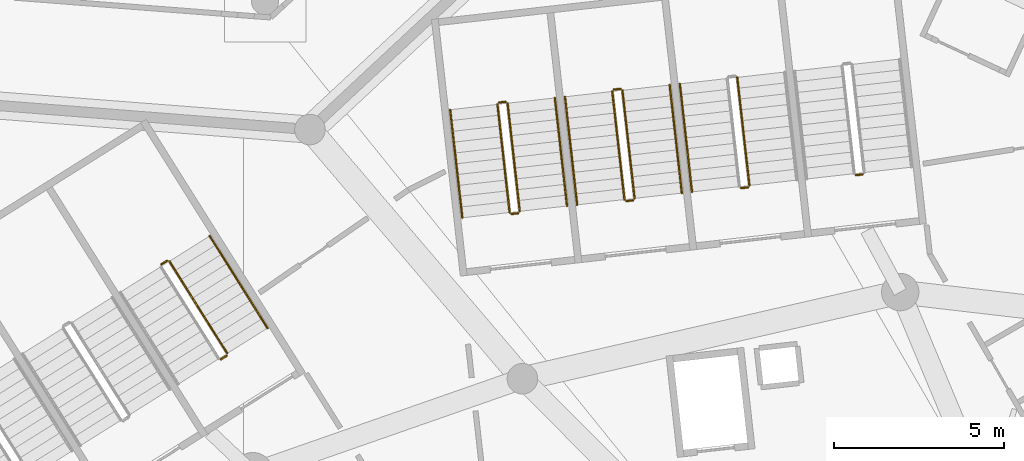
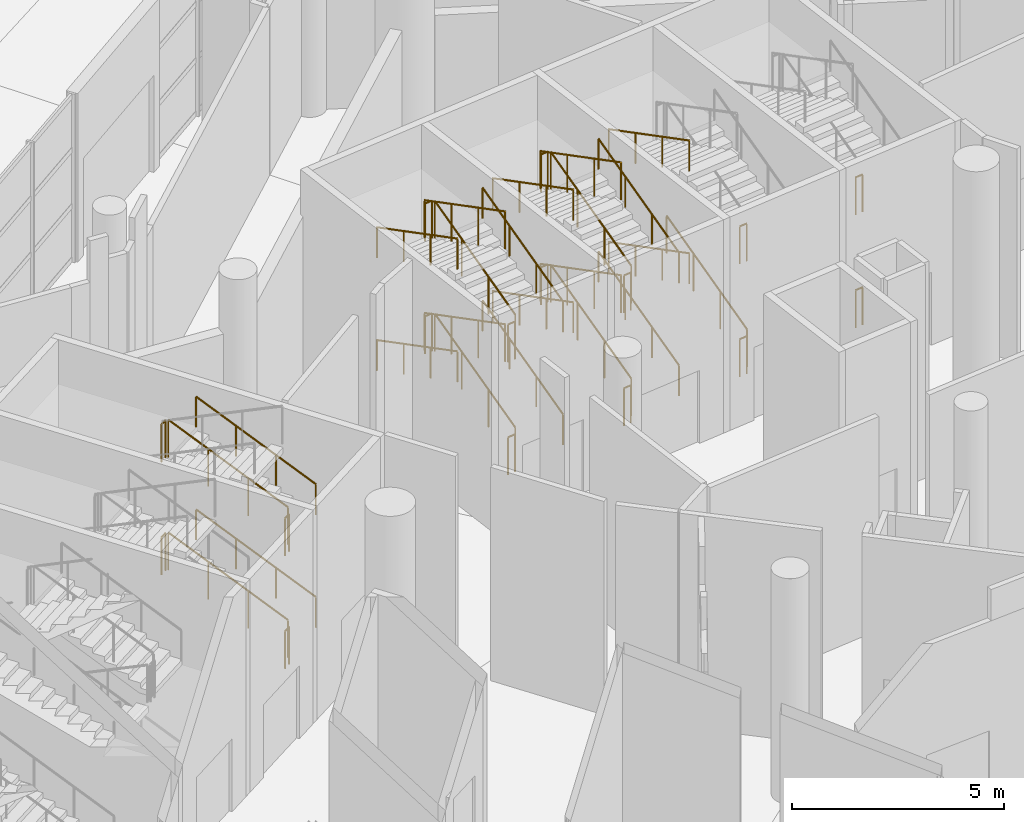
# One storey, part 235 of 255: 39 railings.
"""IFC4 building model written with IfcOpenShell, lengths in metres."""

from ifc_helpers import new_model, si_unit, direction, frame, origin, origin_2d, place, context, subcontext, project, spatial, circle, extrude, material, type_object, element, save


model = new_model("IFC4")

# Units and contexts
model_context = context("Model", 3, precision=1e-05, world=origin(), true_north=direction((0.0, 1.0)))
body_context = subcontext(model_context, "Body", "Model", "MODEL_VIEW")
ifc_project = project(units=[si_unit("LENGTHUNIT", "METRE"), si_unit("AREAUNIT", "SQUARE_METRE"), si_unit("VOLUMEUNIT", "CUBIC_METRE"), si_unit("PLANEANGLEUNIT", "RADIAN"), si_unit("MASSUNIT", "GRAM", prefix="KILO")], contexts=[model_context])

# Site, building, storey
site_placement = place(None, origin())
site = spatial("IfcSite", under=ifc_project, at=site_placement, CompositionType="ELEMENT")
building_placement = place(site_placement, origin())
building = spatial("IfcBuilding", under=site, at=building_placement, Name="Meseta Stadium", CompositionType="ELEMENT")
storey_placement = place(building_placement, origin())
storey = spatial("IfcBuildingStorey", under=building, at=storey_placement, Name="L00", CompositionType="ELEMENT", Elevation=0.0)

# Railings
ifc_material_1 = material(Name="Steel S355", Category="steel")
railing_type_1 = type_object("IfcRailingType", Name="Stair guard 1100", PredefinedType="GUARDRAIL", material=ifc_material_1)
for number, where, name in (
    (1, (-45.787109375, 94.553955078125, 3.25), "ST45 L00 guard 4"),
    (2, (-45.787109375, 94.553955078125, 0.0), "ST45 L00 guard 8"),
):
    element("IfcRailing", number, at=place(storey_placement, frame(where)), inside=storey, type_object=railing_type_1, Name=name, PredefinedType="GUARDRAIL", context=body_context, shape_type="SweptSolid", body=[
        extrude(circle(Radius=0.02392578125, at=origin_2d()), frame((0.0, 0.0, 1.076171875), z_axis=(-0.993673547442, -0.112307083986, 0.0), x_axis=(0.112307083986, -0.993673547442, 0.0)), (0.0, 0.0, 1.0), 0.199951171875),
        extrude(circle(Radius=0.02099609375, at=origin_2d()), origin(), (0.0, 0.0, 1.0), 1.052001953125),
        extrude(circle(Radius=0.02099609375, at=origin_2d()), frame((-0.19873046875, -0.0224609375, 0.0)), (0.0, 0.0, 1.0), 1.052001953125),
    ])
railing_1_placement = place(storey_placement, frame((-49.12158203125, 94.228515625, 0.147705078125)))
element("IfcRailing", 3, at=railing_1_placement, inside=storey, type_object=railing_type_1, Name="ST46 L00 guard 1", PredefinedType="GUARDRAIL", context=body_context, shape_type="SweptSolid", body=[
    extrude(circle(Radius=0.02392578125, at=origin_2d()), frame((0.0, 0.0, 1.076171875), z_axis=(-0.10168481418, 0.902210289302, 0.419138154362), x_axis=(-0.993708517288, -0.111997244021, 0.0)), (0.0, 0.0, 1.0), 3.524658203125),
    extrude(circle(Radius=0.02099609375, at=origin_2d()), origin(), (0.0, 0.0, 1.0), 1.052001953125),
    extrude(circle(Radius=0.02099609375, at=origin_2d()), frame((-0.119384765625, 1.06005859375, 0.492431640625)), (0.0, 0.0, 1.0), 1.052001953125),
    extrude(circle(Radius=0.02099609375, at=origin_2d()), frame((-0.239013671875, 2.119873046875, 0.98486328125)), (0.0, 0.0, 1.0), 1.052001953125),
    extrude(circle(Radius=0.02099609375, at=origin_2d()), frame((-0.3583984375, 3.179931640625, 1.477294921875)), (0.0, 0.0, 1.0), 1.052001953125),
])
for number, where, name in (
    (4, (-49.165771484375, 94.17333984375, 3.25), "ST46 L00 guard 4"),
    (5, (-49.165771484375, 94.17333984375, 0.0), "ST46 L00 guard 8"),
):
    element("IfcRailing", number, at=place(storey_placement, frame(where)), inside=storey, type_object=railing_type_1, Name=name, PredefinedType="GUARDRAIL", context=body_context, shape_type="SweptSolid", body=[
        extrude(circle(Radius=0.02392578125, at=origin_2d()), frame((0.0, 0.0, 1.076171875), z_axis=(-0.993673547442, -0.112307083986, 0.0), x_axis=(0.112307083986, -0.993673547442, 0.0)), (0.0, 0.0, 1.0), 0.199951171875),
        extrude(circle(Radius=0.02099609375, at=origin_2d()), origin(), (0.0, 0.0, 1.0), 1.052001953125),
        extrude(circle(Radius=0.02099609375, at=origin_2d()), frame((-0.19873046875, -0.0224609375, 0.0)), (0.0, 0.0, 1.0), 1.052001953125),
    ])
railing_2_placement = place(storey_placement, frame((-52.500244140625, 93.847900390625, 0.147705078125)))
element("IfcRailing", 6, at=railing_2_placement, inside=storey, type_object=railing_type_1, Name="ST47 L00 guard 1", PredefinedType="GUARDRAIL", context=body_context, shape_type="SweptSolid", body=[
    extrude(circle(Radius=0.02392578125, at=origin_2d()), frame((0.0, 0.0, 1.076171875), z_axis=(-0.10168481418, 0.902210289302, 0.419138154362), x_axis=(-0.993708517288, -0.111997244021, 0.0)), (0.0, 0.0, 1.0), 3.524658203125),
    extrude(circle(Radius=0.02099609375, at=origin_2d()), origin(), (0.0, 0.0, 1.0), 1.052001953125),
    extrude(circle(Radius=0.02099609375, at=origin_2d()), frame((-0.119384765625, 1.06005859375, 0.492431640625)), (0.0, 0.0, 1.0), 1.052001953125),
    extrude(circle(Radius=0.02099609375, at=origin_2d()), frame((-0.239013671875, 2.119873046875, 0.98486328125)), (0.0, 0.0, 1.0), 1.052001953125),
    extrude(circle(Radius=0.02099609375, at=origin_2d()), frame((-0.3583984375, 3.179931640625, 1.477294921875)), (0.0, 0.0, 1.0), 1.052001953125),
])
railing_3_placement = place(storey_placement, frame((-52.913818359375, 97.07177734375, 1.625)))
element("IfcRailing", 7, at=railing_3_placement, inside=storey, type_object=railing_type_1, Name="ST47 L00 guard 2", PredefinedType="GUARDRAIL", context=body_context, shape_type="SweptSolid", body=[
    extrude(circle(Radius=0.02392578125, at=origin_2d()), frame((0.0, 0.0, 1.076171875), z_axis=(-0.993809063983, -0.111101504696, 0.0), x_axis=(0.111101504696, -0.993809063983, 0.0)), (0.0, 0.0, 1.0), 0.199951171875),
    extrude(circle(Radius=0.02099609375, at=origin_2d()), origin(), (0.0, 0.0, 1.0), 1.052001953125),
    extrude(circle(Radius=0.02099609375, at=origin_2d()), frame((-0.19873046875, -0.022216796875, 0.0)), (0.0, 0.0, 1.0), 1.052001953125),
])
railing_4_placement = place(storey_placement, frame((-53.15673828125, 96.994140625, 1.772705078125)))
element("IfcRailing", 8, at=railing_4_placement, inside=storey, type_object=railing_type_1, Name="ST47 L00 guard 3", PredefinedType="GUARDRAIL", context=body_context, shape_type="SweptSolid", body=[
    extrude(circle(Radius=0.02392578125, at=origin_2d()), frame((0.0, 0.0, 1.076171875), z_axis=(0.10168481418, -0.902210289302, 0.419138154362), x_axis=(0.993708517288, 0.111997244021, 0.0)), (0.0, 0.0, 1.0), 3.524658203125),
    extrude(circle(Radius=0.02099609375, at=origin_2d()), origin(), (0.0, 0.0, 1.0), 1.052001953125),
    extrude(circle(Radius=0.02099609375, at=origin_2d()), frame((0.119384765625, -1.06005859375, 0.492431640625)), (0.0, 0.0, 1.0), 1.052001953125),
    extrude(circle(Radius=0.02099609375, at=origin_2d()), frame((0.239013671875, -2.119873046875, 0.98486328125)), (0.0, 0.0, 1.0), 1.052001953125),
    extrude(circle(Radius=0.02099609375, at=origin_2d()), frame((0.3583984375, -3.179931640625, 1.477294921875)), (0.0, 0.0, 1.0), 1.052001953125),
])
railing_5_placement = place(storey_placement, frame((-52.54443359375, 93.792724609375, 3.25)))
element("IfcRailing", 9, at=railing_5_placement, inside=storey, type_object=railing_type_1, Name="ST47 L00 guard 4", PredefinedType="GUARDRAIL", context=body_context, shape_type="SweptSolid", body=[
    extrude(circle(Radius=0.02392578125, at=origin_2d()), frame((0.0, 0.0, 1.076171875), z_axis=(-0.993673547442, -0.112307083986, 0.0), x_axis=(0.112307083986, -0.993673547442, 0.0)), (0.0, 0.0, 1.0), 0.199951171875),
    extrude(circle(Radius=0.02099609375, at=origin_2d()), origin(), (0.0, 0.0, 1.0), 1.052001953125),
    extrude(circle(Radius=0.02099609375, at=origin_2d()), frame((-0.19873046875, -0.0224609375, 0.0)), (0.0, 0.0, 1.0), 1.052001953125),
])
railing_6_placement = place(storey_placement, frame((-52.500244140625, 93.847900390625, 3.397705078125)))
element("IfcRailing", 10, at=railing_6_placement, inside=storey, type_object=railing_type_1, Name="ST47 L00 guard 5", PredefinedType="GUARDRAIL", context=body_context, shape_type="SweptSolid", body=[
    extrude(circle(Radius=0.02392578125, at=origin_2d()), frame((0.0, 0.0, 1.076171875), z_axis=(-0.10168481418, 0.902210289302, 0.419138154362), x_axis=(-0.993708517288, -0.111997244021, 0.0)), (0.0, 0.0, 1.0), 3.524658203125),
    extrude(circle(Radius=0.02099609375, at=origin_2d()), origin(), (0.0, 0.0, 1.0), 1.052001953125),
    extrude(circle(Radius=0.02099609375, at=origin_2d()), frame((-0.119384765625, 1.06005859375, 0.492431640625)), (0.0, 0.0, 1.0), 1.052001953125),
    extrude(circle(Radius=0.02099609375, at=origin_2d()), frame((-0.239013671875, 2.119873046875, 0.98486328125)), (0.0, 0.0, 1.0), 1.052001953125),
    extrude(circle(Radius=0.02099609375, at=origin_2d()), frame((-0.3583984375, 3.179931640625, 1.477294921875)), (0.0, 0.0, 1.0), 1.052001953125),
])
railing_7_placement = place(storey_placement, frame((-52.913818359375, 97.07177734375, 4.875)))
element("IfcRailing", 11, at=railing_7_placement, inside=storey, type_object=railing_type_1, Name="ST47 L00 guard 6", PredefinedType="GUARDRAIL", context=body_context, shape_type="SweptSolid", body=[
    extrude(circle(Radius=0.02392578125, at=origin_2d()), frame((0.0, 0.0, 1.076171875), z_axis=(-0.993809063983, -0.111101504696, 0.0), x_axis=(0.111101504696, -0.993809063983, 0.0)), (0.0, 0.0, 1.0), 0.199951171875),
    extrude(circle(Radius=0.02099609375, at=origin_2d()), origin(), (0.0, 0.0, 1.0), 1.052001953125),
    extrude(circle(Radius=0.02099609375, at=origin_2d()), frame((-0.19873046875, -0.022216796875, 0.0)), (0.0, 0.0, 1.0), 1.052001953125),
])
railing_8_placement = place(storey_placement, frame((-53.15673828125, 96.994140625, 5.022705078125)))
element("IfcRailing", 12, at=railing_8_placement, inside=storey, type_object=railing_type_1, Name="ST47 L00 guard 7", PredefinedType="GUARDRAIL", context=body_context, shape_type="SweptSolid", body=[
    extrude(circle(Radius=0.02392578125, at=origin_2d()), frame((0.0, 0.0, 1.076171875), z_axis=(0.10168481418, -0.902210289302, 0.419138154362), x_axis=(0.993708517288, 0.111997244021, 0.0)), (0.0, 0.0, 1.0), 3.524658203125),
    extrude(circle(Radius=0.02099609375, at=origin_2d()), origin(), (0.0, 0.0, 1.0), 1.052001953125),
    extrude(circle(Radius=0.02099609375, at=origin_2d()), frame((0.119384765625, -1.06005859375, 0.492431640625)), (0.0, 0.0, 1.0), 1.052001953125),
    extrude(circle(Radius=0.02099609375, at=origin_2d()), frame((0.239013671875, -2.119873046875, 0.98486328125)), (0.0, 0.0, 1.0), 1.052001953125),
    extrude(circle(Radius=0.02099609375, at=origin_2d()), frame((0.3583984375, -3.179931640625, 1.477294921875)), (0.0, 0.0, 1.0), 1.052001953125),
])
railing_9_placement = place(storey_placement, frame((-52.54443359375, 93.792724609375, 0.0)))
element("IfcRailing", 13, at=railing_9_placement, inside=storey, type_object=railing_type_1, Name="ST47 L00 guard 8", PredefinedType="GUARDRAIL", context=body_context, shape_type="SweptSolid", body=[
    extrude(circle(Radius=0.02392578125, at=origin_2d()), frame((0.0, 0.0, 1.076171875), z_axis=(-0.993673547442, -0.112307083986, 0.0), x_axis=(0.112307083986, -0.993673547442, 0.0)), (0.0, 0.0, 1.0), 0.199951171875),
    extrude(circle(Radius=0.02099609375, at=origin_2d()), origin(), (0.0, 0.0, 1.0), 1.052001953125),
    extrude(circle(Radius=0.02099609375, at=origin_2d()), frame((-0.19873046875, -0.0224609375, 0.0)), (0.0, 0.0, 1.0), 1.052001953125),
])
railing_10_placement = place(storey_placement, frame((-55.87890625, 93.46728515625, 0.147705078125)))
element("IfcRailing", 14, at=railing_10_placement, inside=storey, type_object=railing_type_1, Name="ST48 L00 guard 1", PredefinedType="GUARDRAIL", context=body_context, shape_type="SweptSolid", body=[
    extrude(circle(Radius=0.02392578125, at=origin_2d()), frame((0.0, 0.0, 1.076171875), z_axis=(-0.10168481418, 0.902210289302, 0.419138154362), x_axis=(-0.993708517288, -0.111997244021, 0.0)), (0.0, 0.0, 1.0), 3.524658203125),
    extrude(circle(Radius=0.02099609375, at=origin_2d()), origin(), (0.0, 0.0, 1.0), 1.052001953125),
    extrude(circle(Radius=0.02099609375, at=origin_2d()), frame((-0.119384765625, 1.06005859375, 0.492431640625)), (0.0, 0.0, 1.0), 1.052001953125),
    extrude(circle(Radius=0.02099609375, at=origin_2d()), frame((-0.239013671875, 2.119873046875, 0.98486328125)), (0.0, 0.0, 1.0), 1.052001953125),
    extrude(circle(Radius=0.02099609375, at=origin_2d()), frame((-0.3583984375, 3.179931640625, 1.477294921875)), (0.0, 0.0, 1.0), 1.052001953125),
])
railing_11_placement = place(storey_placement, frame((-56.29248046875, 96.691162109375, 1.625)))
element("IfcRailing", 15, at=railing_11_placement, inside=storey, type_object=railing_type_1, Name="ST48 L00 guard 2", PredefinedType="GUARDRAIL", context=body_context, shape_type="SweptSolid", body=[
    extrude(circle(Radius=0.02392578125, at=origin_2d()), frame((0.0, 0.0, 1.076171875), z_axis=(-0.993673547442, -0.112307083986, 0.0), x_axis=(0.112307083986, -0.993673547442, 0.0)), (0.0, 0.0, 1.0), 0.199951171875),
    extrude(circle(Radius=0.02099609375, at=origin_2d()), origin(), (0.0, 0.0, 1.0), 1.052001953125),
    extrude(circle(Radius=0.02099609375, at=origin_2d()), frame((-0.19873046875, -0.0224609375, 0.0)), (0.0, 0.0, 1.0), 1.052001953125),
])
railing_12_placement = place(storey_placement, frame((-56.535400390625, 96.613525390625, 1.772705078125)))
element("IfcRailing", 16, at=railing_12_placement, inside=storey, type_object=railing_type_1, Name="ST48 L00 guard 3", PredefinedType="GUARDRAIL", context=body_context, shape_type="SweptSolid", body=[
    extrude(circle(Radius=0.02392578125, at=origin_2d()), frame((0.0, 0.0, 1.076171875), z_axis=(0.10168481418, -0.902210289302, 0.419138154362), x_axis=(0.993708517288, 0.111997244021, 0.0)), (0.0, 0.0, 1.0), 3.524658203125),
    extrude(circle(Radius=0.02099609375, at=origin_2d()), origin(), (0.0, 0.0, 1.0), 1.052001953125),
    extrude(circle(Radius=0.02099609375, at=origin_2d()), frame((0.119384765625, -1.06005859375, 0.492431640625)), (0.0, 0.0, 1.0), 1.052001953125),
    extrude(circle(Radius=0.02099609375, at=origin_2d()), frame((0.239013671875, -2.119873046875, 0.98486328125)), (0.0, 0.0, 1.0), 1.052001953125),
    extrude(circle(Radius=0.02099609375, at=origin_2d()), frame((0.3583984375, -3.179931640625, 1.477294921875)), (0.0, 0.0, 1.0), 1.052001953125),
])
railing_13_placement = place(storey_placement, frame((-55.923095703125, 93.411865234375, 3.25)))
element("IfcRailing", 17, at=railing_13_placement, inside=storey, type_object=railing_type_1, Name="ST48 L00 guard 4", PredefinedType="GUARDRAIL", context=body_context, shape_type="SweptSolid", body=[
    extrude(circle(Radius=0.02392578125, at=origin_2d()), frame((0.0, 0.0, 1.076171875), z_axis=(-0.993809063983, -0.111101504696, 0.0), x_axis=(0.111101504696, -0.993809063983, 0.0)), (0.0, 0.0, 1.0), 0.199951171875),
    extrude(circle(Radius=0.02099609375, at=origin_2d()), origin(), (0.0, 0.0, 1.0), 1.052001953125),
    extrude(circle(Radius=0.02099609375, at=origin_2d()), frame((-0.19873046875, -0.022216796875, 0.0)), (0.0, 0.0, 1.0), 1.052001953125),
])
railing_14_placement = place(storey_placement, frame((-55.87890625, 93.46728515625, 3.397705078125)))
element("IfcRailing", 18, at=railing_14_placement, inside=storey, type_object=railing_type_1, Name="ST48 L00 guard 5", PredefinedType="GUARDRAIL", context=body_context, shape_type="SweptSolid", body=[
    extrude(circle(Radius=0.02392578125, at=origin_2d()), frame((0.0, 0.0, 1.076171875), z_axis=(-0.10168481418, 0.902210289302, 0.419138154362), x_axis=(-0.993708517288, -0.111997244021, 0.0)), (0.0, 0.0, 1.0), 3.524658203125),
    extrude(circle(Radius=0.02099609375, at=origin_2d()), origin(), (0.0, 0.0, 1.0), 1.052001953125),
    extrude(circle(Radius=0.02099609375, at=origin_2d()), frame((-0.119384765625, 1.06005859375, 0.492431640625)), (0.0, 0.0, 1.0), 1.052001953125),
    extrude(circle(Radius=0.02099609375, at=origin_2d()), frame((-0.239013671875, 2.119873046875, 0.98486328125)), (0.0, 0.0, 1.0), 1.052001953125),
    extrude(circle(Radius=0.02099609375, at=origin_2d()), frame((-0.3583984375, 3.179931640625, 1.477294921875)), (0.0, 0.0, 1.0), 1.052001953125),
])
railing_15_placement = place(storey_placement, frame((-56.29248046875, 96.691162109375, 4.875)))
element("IfcRailing", 19, at=railing_15_placement, inside=storey, type_object=railing_type_1, Name="ST48 L00 guard 6", PredefinedType="GUARDRAIL", context=body_context, shape_type="SweptSolid", body=[
    extrude(circle(Radius=0.02392578125, at=origin_2d()), frame((0.0, 0.0, 1.076171875), z_axis=(-0.993673547442, -0.112307083986, 0.0), x_axis=(0.112307083986, -0.993673547442, 0.0)), (0.0, 0.0, 1.0), 0.199951171875),
    extrude(circle(Radius=0.02099609375, at=origin_2d()), origin(), (0.0, 0.0, 1.0), 1.052001953125),
    extrude(circle(Radius=0.02099609375, at=origin_2d()), frame((-0.19873046875, -0.0224609375, 0.0)), (0.0, 0.0, 1.0), 1.052001953125),
])
railing_16_placement = place(storey_placement, frame((-56.535400390625, 96.613525390625, 5.022705078125)))
element("IfcRailing", 20, at=railing_16_placement, inside=storey, type_object=railing_type_1, Name="ST48 L00 guard 7", PredefinedType="GUARDRAIL", context=body_context, shape_type="SweptSolid", body=[
    extrude(circle(Radius=0.02392578125, at=origin_2d()), frame((0.0, 0.0, 1.076171875), z_axis=(0.10168481418, -0.902210289302, 0.419138154362), x_axis=(0.993708517288, 0.111997244021, 0.0)), (0.0, 0.0, 1.0), 3.524658203125),
    extrude(circle(Radius=0.02099609375, at=origin_2d()), origin(), (0.0, 0.0, 1.0), 1.052001953125),
    extrude(circle(Radius=0.02099609375, at=origin_2d()), frame((0.119384765625, -1.06005859375, 0.492431640625)), (0.0, 0.0, 1.0), 1.052001953125),
    extrude(circle(Radius=0.02099609375, at=origin_2d()), frame((0.239013671875, -2.119873046875, 0.98486328125)), (0.0, 0.0, 1.0), 1.052001953125),
    extrude(circle(Radius=0.02099609375, at=origin_2d()), frame((0.3583984375, -3.179931640625, 1.477294921875)), (0.0, 0.0, 1.0), 1.052001953125),
])
railing_17_placement = place(storey_placement, frame((-55.923095703125, 93.411865234375, 0.0)))
element("IfcRailing", 21, at=railing_17_placement, inside=storey, type_object=railing_type_1, Name="ST48 L00 guard 8", PredefinedType="GUARDRAIL", context=body_context, shape_type="SweptSolid", body=[
    extrude(circle(Radius=0.02392578125, at=origin_2d()), frame((0.0, 0.0, 1.076171875), z_axis=(-0.993809063983, -0.111101504696, 0.0), x_axis=(0.111101504696, -0.993809063983, 0.0)), (0.0, 0.0, 1.0), 0.199951171875),
    extrude(circle(Radius=0.02099609375, at=origin_2d()), origin(), (0.0, 0.0, 1.0), 1.052001953125),
    extrude(circle(Radius=0.02099609375, at=origin_2d()), frame((-0.19873046875, -0.022216796875, 0.0)), (0.0, 0.0, 1.0), 1.052001953125),
])
railing_18_placement = place(storey_placement, frame((-64.4853515625, 89.286865234375, 0.147705078125)))
element("IfcRailing", 22, at=railing_18_placement, inside=storey, type_object=railing_type_1, Name="ST49 L00 guard 1", PredefinedType="GUARDRAIL", context=body_context, shape_type="SweptSolid", body=[
    extrude(circle(Radius=0.02392578125, at=origin_2d()), frame((0.0, 0.0, 1.076171875), z_axis=(-0.482997211726, 0.768791919252, 0.419133246544), x_axis=(-0.846757325705, -0.531979352387, 0.0)), (0.0, 0.0, 1.0), 3.524658203125),
    extrude(circle(Radius=0.02099609375, at=origin_2d()), origin(), (0.0, 0.0, 1.0), 1.052001953125),
    extrude(circle(Radius=0.02099609375, at=origin_2d()), frame((-0.5673828125, 0.9033203125, 0.492431640625)), (0.0, 0.0, 1.0), 1.052001953125),
    extrude(circle(Radius=0.02099609375, at=origin_2d()), frame((-1.135009765625, 1.806396484375, 0.98486328125)), (0.0, 0.0, 1.0), 1.052001953125),
    extrude(circle(Radius=0.02099609375, at=origin_2d()), frame((-1.702392578125, 2.709716796875, 1.477294921875)), (0.0, 0.0, 1.0), 1.052001953125),
])
railing_19_placement = place(storey_placement, frame((-66.2568359375, 92.01220703125, 1.625)))
element("IfcRailing", 23, at=railing_19_placement, inside=storey, type_object=railing_type_1, Name="ST49 L00 guard 2", PredefinedType="GUARDRAIL", context=body_context, shape_type="SweptSolid", body=[
    extrude(circle(Radius=0.02392578125, at=origin_2d()), frame((0.0, 0.0, 1.076171875), z_axis=(-0.846416356806, -0.532521690573, 0.0), x_axis=(0.532521690573, -0.846416356806, 0.0)), (0.0, 0.0, 1.0), 0.199951171875),
    extrude(circle(Radius=0.02099609375, at=origin_2d()), origin(), (0.0, 0.0, 1.0), 1.052001953125),
    extrude(circle(Radius=0.02099609375, at=origin_2d()), frame((-0.169189453125, -0.1064453125, 0.0)), (0.0, 0.0, 1.0), 1.052001953125),
])
railing_20_placement = place(storey_placement, frame((-64.5009765625, 89.218017578125, 3.25)))
element("IfcRailing", 24, at=railing_20_placement, inside=storey, type_object=railing_type_1, Name="ST49 L00 guard 4", PredefinedType="GUARDRAIL", context=body_context, shape_type="SweptSolid", body=[
    extrude(circle(Radius=0.02392578125, at=origin_2d()), frame((0.0, 0.0, 1.076171875), z_axis=(-0.846762178531, -0.531971628011, 0.0), x_axis=(0.531971628011, -0.846762178531, 0.0)), (0.0, 0.0, 1.0), 0.2001953125),
    extrude(circle(Radius=0.02099609375, at=origin_2d()), origin(), (0.0, 0.0, 1.0), 1.052001953125),
    extrude(circle(Radius=0.02099609375, at=origin_2d()), frame((-0.16943359375, -0.1064453125, 0.0)), (0.0, 0.0, 1.0), 1.052001953125),
])
railing_21_placement = place(storey_placement, frame((-64.4853515625, 89.286865234375, 3.397705078125)))
element("IfcRailing", 25, at=railing_21_placement, inside=storey, type_object=railing_type_1, Name="ST49 L00 guard 5", PredefinedType="GUARDRAIL", context=body_context, shape_type="SweptSolid", body=[
    extrude(circle(Radius=0.02392578125, at=origin_2d()), frame((0.0, 0.0, 1.076171875), z_axis=(-0.482997211726, 0.768791919252, 0.419133246544), x_axis=(-0.846757325705, -0.531979352387, 0.0)), (0.0, 0.0, 1.0), 3.524658203125),
    extrude(circle(Radius=0.02099609375, at=origin_2d()), origin(), (0.0, 0.0, 1.0), 1.052001953125),
    extrude(circle(Radius=0.02099609375, at=origin_2d()), frame((-0.5673828125, 0.9033203125, 0.492431640625)), (0.0, 0.0, 1.0), 1.052001953125),
    extrude(circle(Radius=0.02099609375, at=origin_2d()), frame((-1.135009765625, 1.806396484375, 0.98486328125)), (0.0, 0.0, 1.0), 1.052001953125),
    extrude(circle(Radius=0.02099609375, at=origin_2d()), frame((-1.702392578125, 2.709716796875, 1.477294921875)), (0.0, 0.0, 1.0), 1.052001953125),
])
railing_22_placement = place(storey_placement, frame((-66.2568359375, 92.01220703125, 4.875)))
element("IfcRailing", 26, at=railing_22_placement, inside=storey, type_object=railing_type_1, Name="ST49 L00 guard 6", PredefinedType="GUARDRAIL", context=body_context, shape_type="SweptSolid", body=[
    extrude(circle(Radius=0.02392578125, at=origin_2d()), frame((0.0, 0.0, 1.076171875), z_axis=(-0.846416356806, -0.532521690573, 0.0), x_axis=(0.532521690573, -0.846416356806, 0.0)), (0.0, 0.0, 1.0), 0.199951171875),
    extrude(circle(Radius=0.02099609375, at=origin_2d()), origin(), (0.0, 0.0, 1.0), 1.052001953125),
    extrude(circle(Radius=0.02099609375, at=origin_2d()), frame((-0.169189453125, -0.1064453125, 0.0)), (0.0, 0.0, 1.0), 1.052001953125),
])
railing_23_placement = place(storey_placement, frame((-64.5009765625, 89.218017578125, 0.0)))
element("IfcRailing", 27, at=railing_23_placement, inside=storey, type_object=railing_type_1, Name="ST49 L00 guard 8", PredefinedType="GUARDRAIL", context=body_context, shape_type="SweptSolid", body=[
    extrude(circle(Radius=0.02392578125, at=origin_2d()), frame((0.0, 0.0, 1.076171875), z_axis=(-0.846762178531, -0.531971628011, 0.0), x_axis=(0.531971628011, -0.846762178531, 0.0)), (0.0, 0.0, 1.0), 0.2001953125),
    extrude(circle(Radius=0.02099609375, at=origin_2d()), origin(), (0.0, 0.0, 1.0), 1.052001953125),
    extrude(circle(Radius=0.02099609375, at=origin_2d()), frame((-0.16943359375, -0.1064453125, 0.0)), (0.0, 0.0, 1.0), 1.052001953125),
])
ifc_material_2 = material(Name="Steel S355", Category="steel")
railing_type_2 = type_object("IfcRailingType", Name="Stair handrail 900", PredefinedType="HANDRAIL", material=ifc_material_2)
for number, where, name in (
    (28, (-51.169189453125, 97.218017578125, 1.772705078125), "ST46 L00 handrail 2"),
    (29, (-51.169189453125, 97.218017578125, 5.022705078125), "ST46 L00 handrail 4"),
):
    element("IfcRailing", number, at=place(storey_placement, frame(where)), inside=storey, type_object=railing_type_2, Name=name, PredefinedType="HANDRAIL", context=body_context, shape_type="SweptSolid", body=[
        extrude(circle(Radius=0.02392578125, at=origin_2d()), frame((0.0, 0.0, 0.8759765625), z_axis=(0.101622612925, -0.902203756464, 0.419167301164), x_axis=(0.993716049491, 0.111930393474, 0.0)), (0.0, 0.0, 1.0), 3.5244140625),
        extrude(circle(Radius=0.02099609375, at=origin_2d()), origin(), (0.0, 0.0, 1.0), 0.851806640625),
        extrude(circle(Radius=0.02099609375, at=origin_2d()), frame((0.119384765625, -1.059814453125, 0.492431640625)), (0.0, 0.0, 1.0), 0.851806640625),
        extrude(circle(Radius=0.02099609375, at=origin_2d()), frame((0.23876953125, -2.119873046875, 0.98486328125)), (0.0, 0.0, 1.0), 0.851806640625),
        extrude(circle(Radius=0.02099609375, at=origin_2d()), frame((0.358154296875, -3.1796875, 1.477294921875)), (0.0, 0.0, 1.0), 0.851806640625),
    ])
railing_24_placement = place(storey_placement, frame((-51.109130859375, 94.004638671875, 0.147705078125)))
element("IfcRailing", 30, at=railing_24_placement, inside=storey, type_object=railing_type_2, Name="ST47 L00 handrail 1", PredefinedType="HANDRAIL", context=body_context, shape_type="SweptSolid", body=[
    extrude(circle(Radius=0.02392578125, at=origin_2d()), frame((0.0, 0.0, 0.8759765625), z_axis=(-0.101616262084, 0.902216641888, 0.419141105571), x_axis=(-0.993717005286, -0.11192190762, 0.0)), (0.0, 0.0, 1.0), 3.524658203125),
    extrude(circle(Radius=0.02099609375, at=origin_2d()), origin(), (0.0, 0.0, 1.0), 0.851806640625),
    extrude(circle(Radius=0.02099609375, at=origin_2d()), frame((-0.119384765625, 1.06005859375, 0.492431640625)), (0.0, 0.0, 1.0), 0.851806640625),
    extrude(circle(Radius=0.02099609375, at=origin_2d()), frame((-0.23876953125, 2.119873046875, 0.98486328125)), (0.0, 0.0, 1.0), 0.851806640625),
    extrude(circle(Radius=0.02099609375, at=origin_2d()), frame((-0.358154296875, 3.179931640625, 1.477294921875)), (0.0, 0.0, 1.0), 0.851806640625),
])
railing_25_placement = place(storey_placement, frame((-54.5478515625, 96.83740234375, 1.772705078125)))
element("IfcRailing", 31, at=railing_25_placement, inside=storey, type_object=railing_type_2, Name="ST47 L00 handrail 2", PredefinedType="HANDRAIL", context=body_context, shape_type="SweptSolid", body=[
    extrude(circle(Radius=0.02392578125, at=origin_2d()), frame((0.0, 0.0, 0.8759765625), z_axis=(0.101616262084, -0.902216641888, 0.419141105571), x_axis=(0.993717005286, 0.11192190762, 0.0)), (0.0, 0.0, 1.0), 3.524658203125),
    extrude(circle(Radius=0.02099609375, at=origin_2d()), origin(), (0.0, 0.0, 1.0), 0.851806640625),
    extrude(circle(Radius=0.02099609375, at=origin_2d()), frame((0.119384765625, -1.06005859375, 0.492431640625)), (0.0, 0.0, 1.0), 0.851806640625),
    extrude(circle(Radius=0.02099609375, at=origin_2d()), frame((0.23876953125, -2.119873046875, 0.98486328125)), (0.0, 0.0, 1.0), 0.851806640625),
    extrude(circle(Radius=0.02099609375, at=origin_2d()), frame((0.358154296875, -3.179931640625, 1.477294921875)), (0.0, 0.0, 1.0), 0.851806640625),
])
railing_26_placement = place(storey_placement, frame((-51.109130859375, 94.004638671875, 3.397705078125)))
element("IfcRailing", 32, at=railing_26_placement, inside=storey, type_object=railing_type_2, Name="ST47 L00 handrail 3", PredefinedType="HANDRAIL", context=body_context, shape_type="SweptSolid", body=[
    extrude(circle(Radius=0.02392578125, at=origin_2d()), frame((0.0, 0.0, 0.8759765625), z_axis=(-0.101616262084, 0.902216641888, 0.419141105571), x_axis=(-0.993717005286, -0.11192190762, 0.0)), (0.0, 0.0, 1.0), 3.524658203125),
    extrude(circle(Radius=0.02099609375, at=origin_2d()), origin(), (0.0, 0.0, 1.0), 0.851806640625),
    extrude(circle(Radius=0.02099609375, at=origin_2d()), frame((-0.119384765625, 1.06005859375, 0.492431640625)), (0.0, 0.0, 1.0), 0.851806640625),
    extrude(circle(Radius=0.02099609375, at=origin_2d()), frame((-0.23876953125, 2.119873046875, 0.98486328125)), (0.0, 0.0, 1.0), 0.851806640625),
    extrude(circle(Radius=0.02099609375, at=origin_2d()), frame((-0.358154296875, 3.179931640625, 1.477294921875)), (0.0, 0.0, 1.0), 0.851806640625),
])
railing_27_placement = place(storey_placement, frame((-54.5478515625, 96.83740234375, 5.022705078125)))
element("IfcRailing", 33, at=railing_27_placement, inside=storey, type_object=railing_type_2, Name="ST47 L00 handrail 4", PredefinedType="HANDRAIL", context=body_context, shape_type="SweptSolid", body=[
    extrude(circle(Radius=0.02392578125, at=origin_2d()), frame((0.0, 0.0, 0.8759765625), z_axis=(0.101616262084, -0.902216641888, 0.419141105571), x_axis=(0.993717005286, 0.11192190762, 0.0)), (0.0, 0.0, 1.0), 3.524658203125),
    extrude(circle(Radius=0.02099609375, at=origin_2d()), origin(), (0.0, 0.0, 1.0), 0.851806640625),
    extrude(circle(Radius=0.02099609375, at=origin_2d()), frame((0.119384765625, -1.06005859375, 0.492431640625)), (0.0, 0.0, 1.0), 0.851806640625),
    extrude(circle(Radius=0.02099609375, at=origin_2d()), frame((0.23876953125, -2.119873046875, 0.98486328125)), (0.0, 0.0, 1.0), 0.851806640625),
    extrude(circle(Radius=0.02099609375, at=origin_2d()), frame((0.358154296875, -3.179931640625, 1.477294921875)), (0.0, 0.0, 1.0), 0.851806640625),
])
railing_28_placement = place(storey_placement, frame((-54.48779296875, 93.6240234375, 0.147705078125)))
element("IfcRailing", 34, at=railing_28_placement, inside=storey, type_object=railing_type_2, Name="ST48 L00 handrail 1", PredefinedType="HANDRAIL", context=body_context, shape_type="SweptSolid", body=[
    extrude(circle(Radius=0.02392578125, at=origin_2d()), frame((0.0, 0.0, 0.8759765625), z_axis=(-0.101616262084, 0.902216641888, 0.419141105571), x_axis=(-0.993717005286, -0.11192190762, 0.0)), (0.0, 0.0, 1.0), 3.524658203125),
    extrude(circle(Radius=0.02099609375, at=origin_2d()), origin(), (0.0, 0.0, 1.0), 0.851806640625),
    extrude(circle(Radius=0.02099609375, at=origin_2d()), frame((-0.119384765625, 1.06005859375, 0.492431640625)), (0.0, 0.0, 1.0), 0.851806640625),
    extrude(circle(Radius=0.02099609375, at=origin_2d()), frame((-0.23876953125, 2.119873046875, 0.98486328125)), (0.0, 0.0, 1.0), 0.851806640625),
    extrude(circle(Radius=0.02099609375, at=origin_2d()), frame((-0.358154296875, 3.179931640625, 1.477294921875)), (0.0, 0.0, 1.0), 0.851806640625),
])
railing_29_placement = place(storey_placement, frame((-57.926513671875, 96.456787109375, 1.772705078125)))
element("IfcRailing", 35, at=railing_29_placement, inside=storey, type_object=railing_type_2, Name="ST48 L00 handrail 2", PredefinedType="HANDRAIL", context=body_context, shape_type="SweptSolid", body=[
    extrude(circle(Radius=0.02392578125, at=origin_2d()), frame((0.0, 0.0, 0.8759765625), z_axis=(0.10168481418, -0.902210289302, 0.419138154362), x_axis=(0.993708517288, 0.111997244021, 0.0)), (0.0, 0.0, 1.0), 3.524658203125),
    extrude(circle(Radius=0.02099609375, at=origin_2d()), origin(), (0.0, 0.0, 1.0), 0.851806640625),
    extrude(circle(Radius=0.02099609375, at=origin_2d()), frame((0.119384765625, -1.06005859375, 0.492431640625)), (0.0, 0.0, 1.0), 0.851806640625),
    extrude(circle(Radius=0.02099609375, at=origin_2d()), frame((0.239013671875, -2.119873046875, 0.98486328125)), (0.0, 0.0, 1.0), 0.851806640625),
    extrude(circle(Radius=0.02099609375, at=origin_2d()), frame((0.3583984375, -3.179931640625, 1.477294921875)), (0.0, 0.0, 1.0), 0.851806640625),
])
railing_30_placement = place(storey_placement, frame((-54.48779296875, 93.6240234375, 3.397705078125)))
element("IfcRailing", 36, at=railing_30_placement, inside=storey, type_object=railing_type_2, Name="ST48 L00 handrail 3", PredefinedType="HANDRAIL", context=body_context, shape_type="SweptSolid", body=[
    extrude(circle(Radius=0.02392578125, at=origin_2d()), frame((0.0, 0.0, 0.8759765625), z_axis=(-0.101616262084, 0.902216641888, 0.419141105571), x_axis=(-0.993717005286, -0.11192190762, 0.0)), (0.0, 0.0, 1.0), 3.524658203125),
    extrude(circle(Radius=0.02099609375, at=origin_2d()), origin(), (0.0, 0.0, 1.0), 0.851806640625),
    extrude(circle(Radius=0.02099609375, at=origin_2d()), frame((-0.119384765625, 1.06005859375, 0.492431640625)), (0.0, 0.0, 1.0), 0.851806640625),
    extrude(circle(Radius=0.02099609375, at=origin_2d()), frame((-0.23876953125, 2.119873046875, 0.98486328125)), (0.0, 0.0, 1.0), 0.851806640625),
    extrude(circle(Radius=0.02099609375, at=origin_2d()), frame((-0.358154296875, 3.179931640625, 1.477294921875)), (0.0, 0.0, 1.0), 0.851806640625),
])
railing_31_placement = place(storey_placement, frame((-57.926513671875, 96.456787109375, 5.022705078125)))
element("IfcRailing", 37, at=railing_31_placement, inside=storey, type_object=railing_type_2, Name="ST48 L00 handrail 4", PredefinedType="HANDRAIL", context=body_context, shape_type="SweptSolid", body=[
    extrude(circle(Radius=0.02392578125, at=origin_2d()), frame((0.0, 0.0, 0.8759765625), z_axis=(0.10168481418, -0.902210289302, 0.419138154362), x_axis=(0.993708517288, 0.111997244021, 0.0)), (0.0, 0.0, 1.0), 3.524658203125),
    extrude(circle(Radius=0.02099609375, at=origin_2d()), origin(), (0.0, 0.0, 1.0), 0.851806640625),
    extrude(circle(Radius=0.02099609375, at=origin_2d()), frame((0.119384765625, -1.06005859375, 0.492431640625)), (0.0, 0.0, 1.0), 0.851806640625),
    extrude(circle(Radius=0.02099609375, at=origin_2d()), frame((0.239013671875, -2.119873046875, 0.98486328125)), (0.0, 0.0, 1.0), 0.851806640625),
    extrude(circle(Radius=0.02099609375, at=origin_2d()), frame((0.3583984375, -3.179931640625, 1.477294921875)), (0.0, 0.0, 1.0), 0.851806640625),
])
for number, where, name in (
    (38, (-63.2998046875, 90.03173828125, 0.147705078125), "ST49 L00 handrail 1"),
    (39, (-63.2998046875, 90.03173828125, 3.397705078125), "ST49 L00 handrail 3"),
):
    element("IfcRailing", number, at=place(storey_placement, frame(where)), inside=storey, type_object=railing_type_2, Name=name, PredefinedType="HANDRAIL", context=body_context, shape_type="SweptSolid", body=[
        extrude(circle(Radius=0.02392578125, at=origin_2d()), frame((0.0, 0.0, 0.8759765625), z_axis=(-0.483050316844, 0.768766198258, 0.419119223864), x_axis=(-0.846722959343, -0.532034049776, 0.0)), (0.0, 0.0, 1.0), 3.524658203125),
        extrude(circle(Radius=0.02099609375, at=origin_2d()), origin(), (0.0, 0.0, 1.0), 0.851806640625),
        extrude(circle(Radius=0.02099609375, at=origin_2d()), frame((-0.567626953125, 0.9033203125, 0.492431640625)), (0.0, 0.0, 1.0), 0.851806640625),
        extrude(circle(Radius=0.02099609375, at=origin_2d()), frame((-1.135009765625, 1.806396484375, 0.98486328125)), (0.0, 0.0, 1.0), 0.851806640625),
        extrude(circle(Radius=0.02099609375, at=origin_2d()), frame((-1.70263671875, 2.709716796875, 1.477294921875)), (0.0, 0.0, 1.0), 0.851806640625),
    ])

save(model, "model.ifc")
